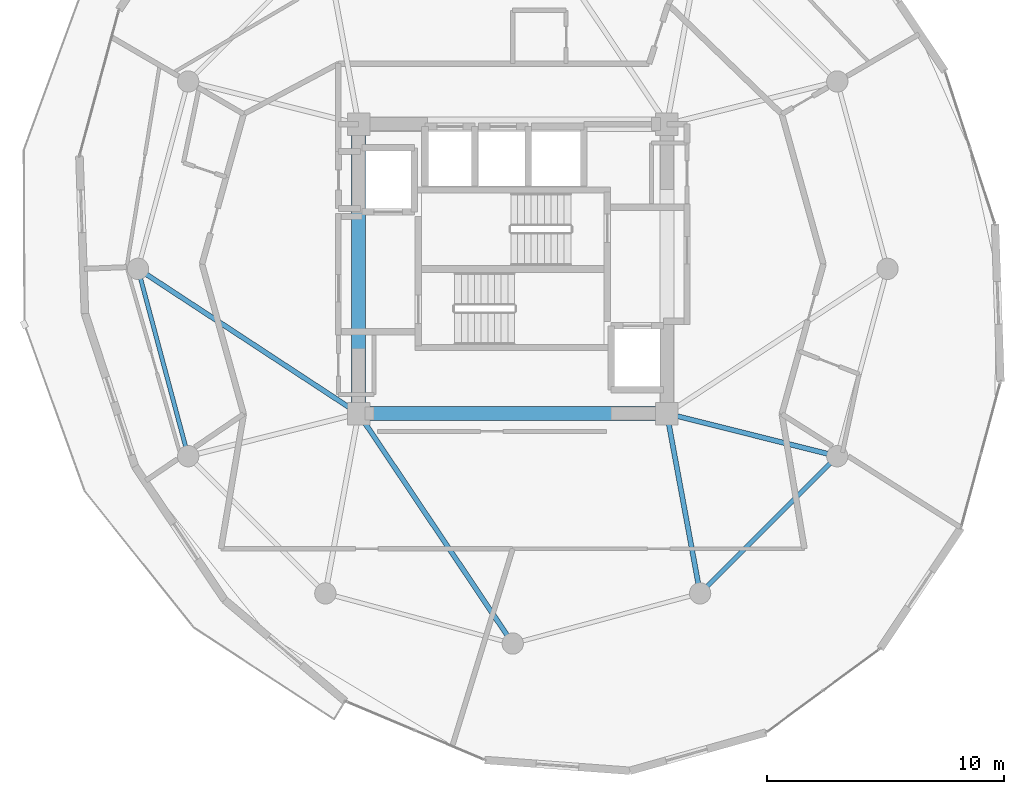
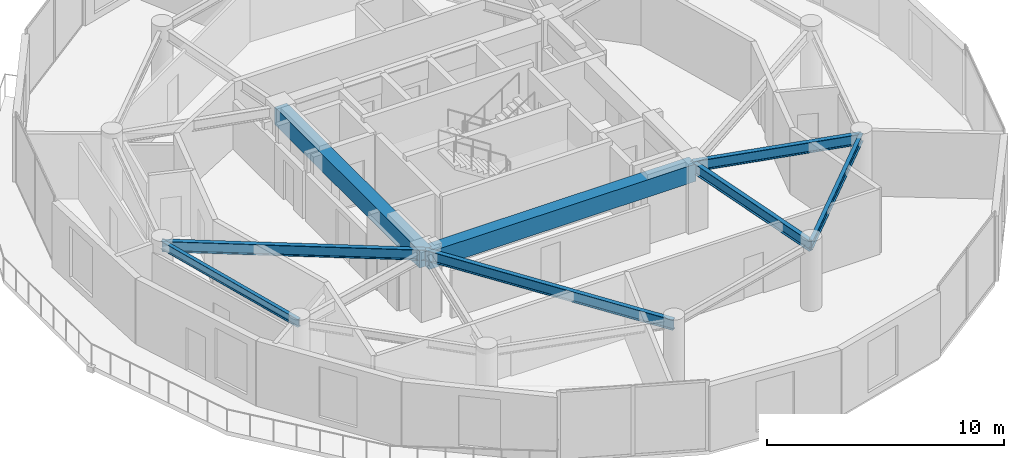
# One storey, part 5 of 18: 8 beams.
"""IFC4 building model written with IfcOpenShell, lengths in metres."""

from ifc_helpers import new_model, si_unit, direction, frame, origin, origin_2d, place, context, subcontext, project, spatial, rectangle, i_section, extrude, material, material_profile, profile_set, type_object, element, save


model = new_model("IFC4")

# Units and contexts
model_context = context("Model", 3, precision=1e-05, world=origin(), true_north=direction((0.0, 1.0)))
body_context = subcontext(model_context, "Body", "Model", "MODEL_VIEW")
ifc_project = project(units=[si_unit("LENGTHUNIT", "METRE"), si_unit("AREAUNIT", "SQUARE_METRE"), si_unit("VOLUMEUNIT", "CUBIC_METRE"), si_unit("PLANEANGLEUNIT", "RADIAN"), si_unit("MASSUNIT", "GRAM", prefix="KILO")], contexts=[model_context])

# Site, building, storey
site_placement = place(None, origin())
site = spatial("IfcSite", under=ifc_project, at=site_placement, CompositionType="ELEMENT")
building_placement = place(site_placement, origin())
building = spatial("IfcBuilding", under=site, at=building_placement, Name="Solvirekh Grand Hotel", CompositionType="ELEMENT")
storey_placement = place(building_placement, frame((0.0, 0.0, 202.0)))
storey = spatial("IfcBuildingStorey", under=building, at=storey_placement, Name="L52", CompositionType="ELEMENT", Elevation=202.0)

# Beams
ifc_material_1 = material(Name="Concrete C50/60", Category="concrete")
ifc_material_profile_1 = material_profile(ifc_material_1, rectangle(XDim=0.60009765625, YDim=0.89990234375, at=origin_2d()), Name="RC BEAM 600X900")
ifc_profile_set_1 = profile_set([ifc_material_profile_1], Name="Concrete C50/60")
beam_type_1 = type_object("IfcBeamType", Name="Beam_Core_RC900", PredefinedType="BEAM", material=ifc_profile_set_1)
beam_1_placement = place(storey_placement, frame((-6.5, -6.10009765625, 2.909912109375), z_axis=(1.0, 0.0, 0.0), x_axis=(0.0, 1.0, 0.0)))
element("IfcBeam", 1, at=beam_1_placement, inside=storey, type_object=beam_type_1, Name="L52 core coupling ring beam 1", PredefinedType="BEAM", context=body_context, shape_type="SweptSolid", body=[
    extrude(rectangle(XDim=0.60009765625, YDim=0.89990234375, at=origin_2d()), origin(), (0.0, 0.0, 1.0), 13.0),
])
beam_2_placement = place(storey_placement, frame((-6.5, 6.10009765625, 2.909912109375), z_axis=(0.0, -1.0, 0.0), x_axis=(1.0, 0.0, 0.0)))
element("IfcBeam", 2, at=beam_2_placement, inside=storey, type_object=beam_type_1, Name="L52 core coupling ring beam 4", PredefinedType="BEAM", context=body_context, shape_type="SweptSolid", body=[
    extrude(rectangle(XDim=0.60009765625, YDim=0.89990234375, at=origin_2d()), origin(), (0.0, 0.0, 1.0), 12.2001953125),
])
ifc_material_2 = material(Name="Steel S355", Category="steel")
ifc_material_profile_2 = material_profile(ifc_material_2, i_section(OverallWidth=0.2119140625, OverallDepth=0.5439453125, WebThickness=0.011962890625, FlangeThickness=0.01904296875, FilletRadius=0.013916015625, at=origin_2d()), Name="W530X123")
ifc_profile_set_2 = profile_set([ifc_material_profile_2], Name="Steel S355")
beam_type_2 = type_object("IfcBeamType", Name="Beam_Radial_W530H", PredefinedType="BEAM", material=ifc_profile_set_2)
beam_3_placement = place(storey_placement, frame((-6.5, -6.10009765625, 3.087890625), z_axis=(-0.836174064962, 0.548464158432, 0.0), x_axis=(-0.548464158432, -0.836174064962, 0.0)))
element("IfcBeam", 3, at=beam_3_placement, inside=storey, type_object=beam_type_2, Name="L52 radial floor beam R07", PredefinedType="BEAM", context=body_context, shape_type="SweptSolid", body=[
    extrude(i_section(OverallWidth=0.2119140625, OverallDepth=0.5439453125, WebThickness=0.011962890625, FlangeThickness=0.01904296875, FilletRadius=0.013916015625, at=origin_2d()), origin(), (0.0, 0.0, 1.0), 11.1220703125),
])
beam_4_placement = place(storey_placement, frame((-6.5, -6.10009765625, 3.087890625), z_axis=(0.556676926176, -0.830729077295, 0.0), x_axis=(0.830729077295, 0.556676926176, 0.0)))
element("IfcBeam", 4, at=beam_4_placement, inside=storey, type_object=beam_type_2, Name="L52 radial floor beam R10", PredefinedType="BEAM", context=body_context, shape_type="SweptSolid", body=[
    extrude(i_section(OverallWidth=0.2119140625, OverallDepth=0.5439453125, WebThickness=0.011962890625, FlangeThickness=0.01904296875, FilletRadius=0.013916015625, at=origin_2d()), origin(), (0.0, 0.0, 1.0), 11.676513671875),
])
beam_5_placement = place(storey_placement, frame((6.5, -6.10009765625, 3.087890625), z_axis=(0.181542769111, -0.983383049978, 0.0), x_axis=(0.983383049978, 0.181542769111, 0.0)))
element("IfcBeam", 5, at=beam_5_placement, inside=storey, type_object=beam_type_2, Name="L52 radial floor beam R11", PredefinedType="BEAM", context=body_context, shape_type="SweptSolid", body=[
    extrude(i_section(OverallWidth=0.2119140625, OverallDepth=0.5439453125, WebThickness=0.011962890625, FlangeThickness=0.01904296875, FilletRadius=0.013916015625, at=origin_2d()), origin(), (0.0, 0.0, 1.0), 7.711181640625),
])
beam_6_placement = place(storey_placement, frame((6.5, -6.10009765625, 3.087890625), z_axis=(0.970014367692, -0.243047580675, 0.0), x_axis=(0.243047580675, 0.970014367692, 0.0)))
element("IfcBeam", 6, at=beam_6_placement, inside=storey, type_object=beam_type_2, Name="L52 radial floor beam R12", PredefinedType="BEAM", context=body_context, shape_type="SweptSolid", body=[
    extrude(i_section(OverallWidth=0.2119140625, OverallDepth=0.5439453125, WebThickness=0.011962890625, FlangeThickness=0.01904296875, FilletRadius=0.013916015625, at=origin_2d()), origin(), (0.0, 0.0, 1.0), 7.4052734375),
])
ifc_material_profile_3 = material_profile(ifc_material_2, i_section(OverallWidth=0.180908203125, OverallDepth=0.4169921875, WebThickness=0.010009765625, FlangeThickness=0.01611328125, FilletRadius=0.011962890625, at=origin_2d()), Name="W410X85")
ifc_profile_set_3 = profile_set([ifc_material_profile_3], Name="Steel S355")
beam_type_3 = type_object("IfcBeamType", Name="Spandrel_Ring_W410", PredefinedType="SPANDREL", material=ifc_profile_set_3)
for number, where, z_axis, x_axis, name in (
    (7, (-15.800048828125, 0.0, 3.152099609375), (0.258838541915, -0.965920601923, 0.0), (0.965920601923, 0.258838541915, 0.0), "L52 perimeter spandrel beam 7"),
    (8, (7.89990234375, -13.68310546875, 3.152099609375), (0.707106781187, 0.707106781187, 0.0), (-0.707106781187, 0.707106781187, 0.0), "L52 perimeter spandrel beam 11"),
):
    element("IfcBeam", number, at=place(storey_placement, frame(where, z_axis=z_axis, x_axis=x_axis)), inside=storey, type_object=beam_type_3, Name=name, PredefinedType="SPANDREL", context=body_context, shape_type="SweptSolid", body=[
        extrude(i_section(OverallWidth=0.180908203125, OverallDepth=0.4169921875, WebThickness=0.010009765625, FlangeThickness=0.01611328125, FilletRadius=0.011962890625, at=origin_2d()), origin(), (0.0, 0.0, 1.0), 8.1787109375),
    ])

save(model, "model.ifc")
